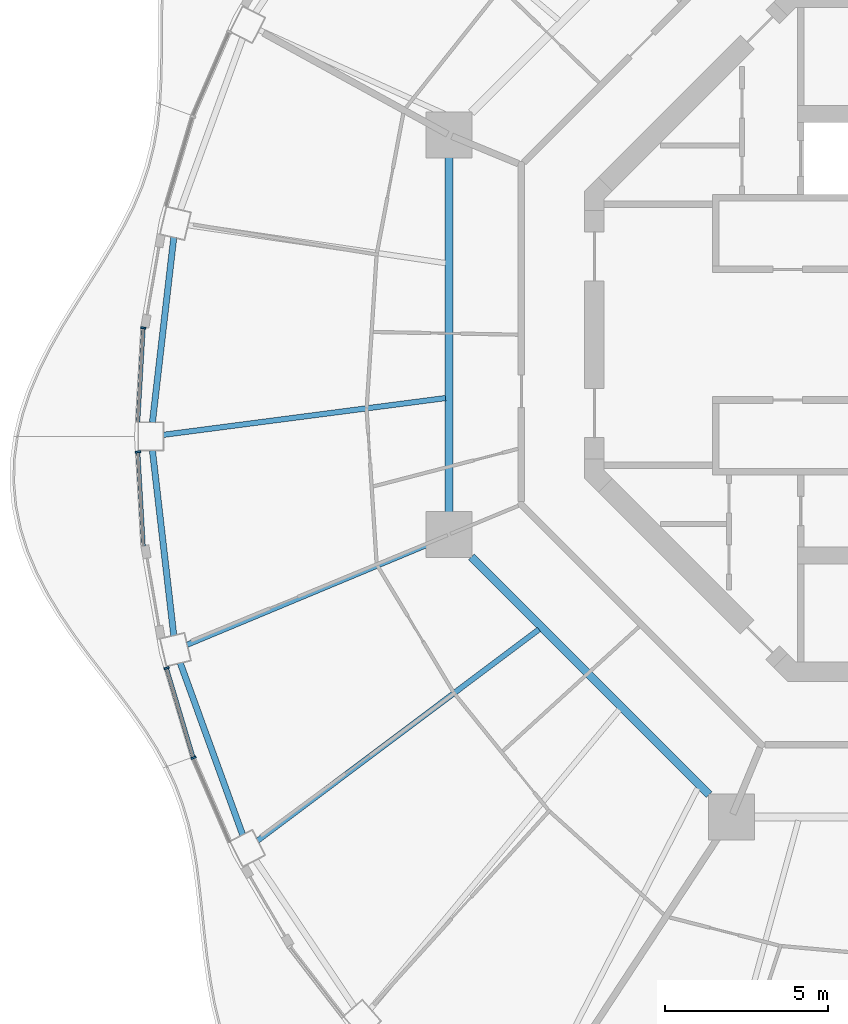
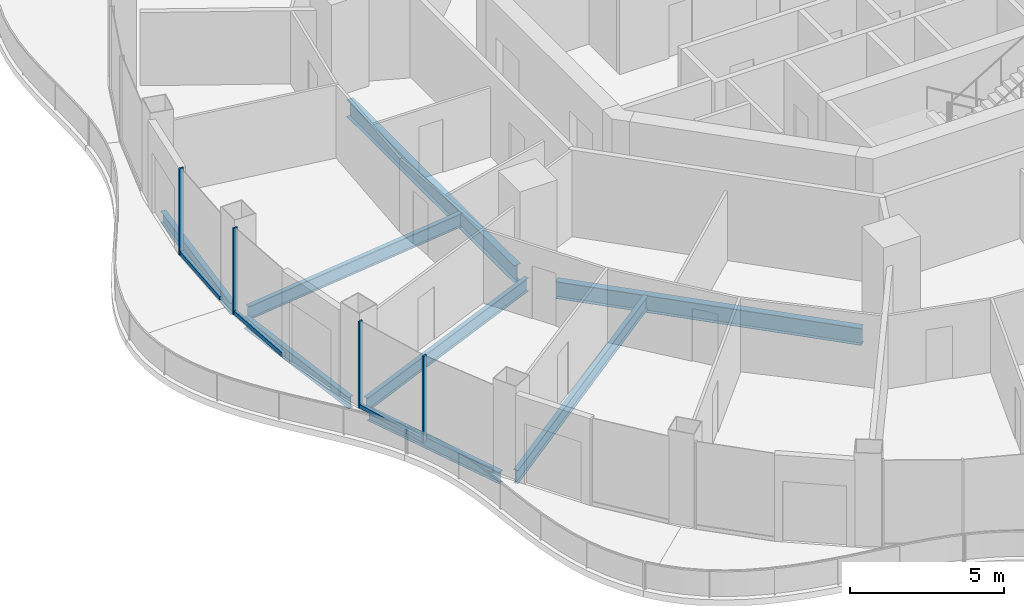
# One storey, part 3 of 17: 8 beams, 7 members, 4 elements without a shape of their own.
"""IFC4 building model written with IfcOpenShell, lengths in metres."""

from ifc_helpers import new_model, si_unit, direction, frame, origin, origin_2d, place, context, subcontext, project, spatial, rectangle, i_section, extrude, material, layer, layer_set, material_profile, profile_set, type_object, element, aggregate, save


model = new_model("IFC4")

# Units and contexts
model_context = context("Model", 3, precision=1e-05, world=origin(), true_north=direction((0.0, 1.0)))
body_context = subcontext(model_context, "Body", "Model", "MODEL_VIEW")
ifc_project = project(units=[si_unit("LENGTHUNIT", "METRE"), si_unit("AREAUNIT", "SQUARE_METRE"), si_unit("VOLUMEUNIT", "CUBIC_METRE"), si_unit("PLANEANGLEUNIT", "RADIAN"), si_unit("MASSUNIT", "GRAM", prefix="KILO")], contexts=[model_context])

# Site, building, storey
site_placement = place(None, origin())
site = spatial("IfcSite", under=ifc_project, at=site_placement, CompositionType="ELEMENT")
building_placement = place(site_placement, origin())
building = spatial("IfcBuilding", under=site, at=building_placement, Name="Nagisa Residences", CompositionType="ELEMENT")
storey_placement = place(building_placement, frame((0.0, 0.0, 277.0)))
storey = spatial("IfcBuildingStorey", under=building, at=storey_placement, Name="L70", CompositionType="ELEMENT", Elevation=277.0)

# Curtain wall, member
ifc_material_1 = material(Name="Concrete-coloured aluminium curtain wall system", Category="concrete")
ifc_layer = layer(ifc_material_1, 0.159912109375)
ifc_layer_set = layer_set([ifc_layer], Name="CW1 CURTAIN WALL")
curtain_wall_type = type_object("IfcCurtainWallType", Name="CW1 CURTAIN WALL", PredefinedType="NOTDEFINED", material=ifc_layer_set)
curtain_wall_1_placement = place(storey_placement, origin())
curtain_wall_1 = element("IfcCurtainWall", 1, at=curtain_wall_1_placement, inside=storey, type_object=curtain_wall_type, Name="cw:CW1:L70:23", PredefinedType="NOTDEFINED")
ifc_material_2 = material(Name="Concrete-coloured aluminium", Category="concrete")
ifc_material_profile_1 = material_profile(ifc_material_2, rectangle(XDim=0.159912109375, YDim=0.06005859375, at=origin_2d()), Name="CW1 MULLION 160x60")
ifc_profile_set_1 = profile_set([ifc_material_profile_1], Name="Concrete-coloured aluminium")
member_type_1 = type_object("IfcMemberType", Name="CW1 MULLION 160x60", PredefinedType="MULLION", material=ifc_profile_set_1)
member_1_placement = place(storey_placement, frame((-24.1484375, 0.20751953125, 0.0), z_axis=(0.0, 0.0, 1.0), x_axis=(0.998345305184, -0.057503492216, 0.0)))
member_1 = element("IfcMember", 2, at=member_1_placement, type_object=member_type_1, Name="CW1 mullion", PredefinedType="MULLION", context=body_context, shape_type="SweptSolid", body=[
    extrude(rectangle(XDim=0.159912109375, YDim=0.06005859375, at=origin_2d()), origin(), (0.0, 0.0, 1.0), 3.43994140625),
])

curtain_wall_2_placement = place(storey_placement, origin())
curtain_wall_2 = element("IfcCurtainWall", 3, at=curtain_wall_2_placement, inside=storey, type_object=curtain_wall_type, Name="cw:CW1:L70:24", PredefinedType="NOTDEFINED")
member_2_placement = place(storey_placement, frame((-24.3125, -3.59228515625, 0.0), z_axis=(0.0, 0.0, 1.0), x_axis=(0.998345305184, 0.057503492216, 0.0)))
member_2 = element("IfcMember", 4, at=member_2_placement, type_object=member_type_1, Name="CW1 mullion", PredefinedType="MULLION", context=body_context, shape_type="SweptSolid", body=[
    extrude(rectangle(XDim=0.159912109375, YDim=0.06005859375, at=origin_2d()), origin(), (0.0, 0.0, 1.0), 3.43994140625),
])

curtain_wall_3_placement = place(storey_placement, origin())
curtain_wall_3 = element("IfcCurtainWall", 5, at=curtain_wall_3_placement, inside=storey, type_object=curtain_wall_type, Name="cw:CW1:L70:26", PredefinedType="NOTDEFINED")
member_3_placement = place(storey_placement, frame((-23.435302734375, -10.216796875, 0.0), z_axis=(0.0, 0.0, 1.0), x_axis=(0.958271310082, 0.285860274038, 0.0)))
member_3 = element("IfcMember", 6, at=member_3_placement, type_object=member_type_1, Name="CW1 mullion", PredefinedType="MULLION", context=body_context, shape_type="SweptSolid", body=[
    extrude(rectangle(XDim=0.159912109375, YDim=0.06005859375, at=origin_2d()), origin(), (0.0, 0.0, 1.0), 3.43994140625),
])

curtain_wall_4_placement = place(storey_placement, origin())
curtain_wall_4 = element("IfcCurtainWall", 7, at=curtain_wall_4_placement, inside=storey, type_object=curtain_wall_type, Name="cw:CW1:L70:27", PredefinedType="NOTDEFINED")
member_4_placement = place(storey_placement, frame((-22.61279296875, -12.963623046875, 0.0), z_axis=(0.0, 0.0, 1.0), x_axis=(0.917543276295, 0.397635934147, 0.0)))
member_4 = element("IfcMember", 8, at=member_4_placement, type_object=member_type_1, Name="CW1 mullion", PredefinedType="MULLION", context=body_context, shape_type="SweptSolid", body=[
    extrude(rectangle(XDim=0.159912109375, YDim=0.06005859375, at=origin_2d()), origin(), (0.0, 0.0, 1.0), 3.43994140625),
])
aggregate(curtain_wall_4, [member_4])

# Member
ifc_material_3 = material(Name="Concrete-coloured aluminium", Category="concrete")
ifc_material_profile_2 = material_profile(ifc_material_3, rectangle(XDim=0.1201171875, YDim=0.14990234375, at=origin_2d()), Name="CW1 TRANSOM 120x150")
ifc_profile_set_2 = profile_set([ifc_material_profile_2], Name="Concrete-coloured aluminium")
member_type_2 = type_object("IfcMemberType", Name="CW1 TRANSOM 120x150", PredefinedType="USERDEFINED", material=ifc_profile_set_2)
member_5_placement = place(storey_placement, frame((-24.146728515625, 0.237548828125, 0.074951171875), z_axis=(-0.057445660401, -0.998348634547, 0.0), x_axis=(0.998348634547, -0.057445660401, 0.0)))
member_5 = element("IfcMember", 9, at=member_5_placement, type_object=member_type_2, Name="CW1 transom", ObjectType="TRANSOM", PredefinedType="USERDEFINED", context=body_context, shape_type="SweptSolid", body=[
    extrude(rectangle(XDim=0.1201171875, YDim=0.14990234375, at=origin_2d()), origin(), (0.0, 0.0, 1.0), 2.91552734375),
])

aggregate(curtain_wall_1, [member_1, member_5])

member_6_placement = place(storey_placement, frame((-24.314208984375, -3.562255859375, 0.074951171875), z_axis=(0.057445660401, -0.998348634547, 0.0), x_axis=(0.998348634547, 0.057445660401, 0.0)))
member_6 = element("IfcMember", 10, at=member_6_placement, type_object=member_type_2, Name="CW1 transom", ObjectType="TRANSOM", PredefinedType="USERDEFINED", context=body_context, shape_type="SweptSolid", body=[
    extrude(rectangle(XDim=0.1201171875, YDim=0.14990234375, at=origin_2d()), origin(), (0.0, 0.0, 1.0), 2.91552734375),
])

aggregate(curtain_wall_2, [member_2, member_6])

member_7_placement = place(storey_placement, frame((-23.44384765625, -10.18798828125, 0.074951171875), z_axis=(0.285798286059, -0.958289799427, 0.0), x_axis=(0.958289799427, 0.285798286059, 0.0)))
member_7 = element("IfcMember", 11, at=member_7_placement, type_object=member_type_2, Name="CW1 transom", ObjectType="TRANSOM", PredefinedType="USERDEFINED", context=body_context, shape_type="SweptSolid", body=[
    extrude(rectangle(XDim=0.1201171875, YDim=0.14990234375, at=origin_2d()), origin(), (0.0, 0.0, 1.0), 2.877197265625),
])

aggregate(curtain_wall_3, [member_3, member_7])

# Beams
ifc_material_4 = material(Name="Steel ASTM A572 Gr 50", Category="steel")
ifc_material_profile_3 = material_profile(ifc_material_4, i_section(OverallWidth=0.2529296875, OverallDepth=0.677978515625, WebThickness=0.01171875, FlangeThickness=0.016357421875, at=origin_2d()), Name="W690x125")
ifc_profile_set_3 = profile_set([ifc_material_profile_3], Name="Steel ASTM A572 Gr 50")
beam_type_1 = type_object("IfcBeamType", Name="Inner ring beam W690x125", PredefinedType="BEAM", material=ifc_profile_set_3)
beam_1_placement = place(storey_placement, frame((-14.781982421875, 5.44287109375, -0.59912109375), z_axis=(0.0, -1.0, 0.0), x_axis=(1.0, 0.0, 0.0)))
element("IfcBeam", 12, at=beam_1_placement, inside=storey, type_object=beam_type_1, Name="beam:L70:ib4", PredefinedType="BEAM", context=body_context, shape_type="SweptSolid", body=[
    extrude(i_section(OverallWidth=0.2529296875, OverallDepth=0.677978515625, WebThickness=0.01171875, FlangeThickness=0.016357421875, at=origin_2d()), origin(), (0.0, 0.0, 1.0), 10.8857421875),
])
beam_2_placement = place(storey_placement, frame((-14.09619140625, -6.808837890625, -0.59912109375), z_axis=(0.707106781187, -0.707106781187, 0.0), x_axis=(0.707106781187, 0.707106781187, 0.0)))
element("IfcBeam", 13, at=beam_2_placement, inside=storey, type_object=beam_type_1, Name="beam:L70:ib5", PredefinedType="BEAM", context=body_context, shape_type="SweptSolid", body=[
    extrude(i_section(OverallWidth=0.2529296875, OverallDepth=0.677978515625, WebThickness=0.01171875, FlangeThickness=0.016357421875, at=origin_2d()), origin(), (0.0, 0.0, 1.0), 10.305908203125),
])
ifc_material_5 = material(Name="Steel ASTM A572 Gr 50", Category="steel")
ifc_material_profile_4 = material_profile(ifc_material_5, i_section(OverallWidth=0.18994140625, OverallDepth=0.45703125, WebThickness=0.009033203125, FlangeThickness=0.014404296875, at=origin_2d()), Name="W460x74")
ifc_profile_set_4 = profile_set([ifc_material_profile_4], Name="Steel ASTM A572 Gr 50")
beam_type_2 = type_object("IfcBeamType", Name="Perimeter ring beam W460x74", PredefinedType="BEAM", material=ifc_profile_set_4)
for number, where, z_axis, x_axis, name in (
    (14, (-23.2158203125, 2.984619140625, -0.488525390625), (-0.114635468623, -0.993407624962, 0.0), (0.993407624962, -0.114635468623, 0.0), "beam:L70:pb12"),
    (15, (-23.870361328125, -3.5478515625, -0.488525390625), (0.114635468623, -0.993407624962, 0.0), (0.993407624962, 0.114635468623, 0.0), "beam:L70:pb13"),
):
    element("IfcBeam", number, at=place(storey_placement, frame(where, z_axis=z_axis, x_axis=x_axis)), inside=storey, type_object=beam_type_2, Name=name, PredefinedType="BEAM", context=body_context, shape_type="SweptSolid", body=[
        extrude(i_section(OverallWidth=0.18994140625, OverallDepth=0.45703125, WebThickness=0.009033203125, FlangeThickness=0.014404296875, at=origin_2d()), origin(), (0.0, 0.0, 1.0), 5.709716796875),
    ])
beam_3_placement = place(storey_placement, frame((-23.0185546875, -10.057373046875, -0.488525390625), z_axis=(0.341250304478, -0.9399724622, 0.0), x_axis=(0.9399724622, 0.341250304478, 0.0)))
element("IfcBeam", 16, at=beam_3_placement, inside=storey, type_object=beam_type_2, Name="beam:L70:pb14", PredefinedType="BEAM", context=body_context, shape_type="SweptSolid", body=[
    extrude(i_section(OverallWidth=0.18994140625, OverallDepth=0.45703125, WebThickness=0.009033203125, FlangeThickness=0.014404296875, at=origin_2d()), origin(), (0.0, 0.0, 1.0), 5.609619140625),
])
ifc_material_6 = material(Name="Steel ASTM A572 Gr 50", Category="steel")
ifc_material_profile_5 = material_profile(ifc_material_6, i_section(OverallWidth=0.166015625, OverallDepth=0.534912109375, WebThickness=0.01025390625, FlangeThickness=0.0166015625, at=origin_2d()), Name="W530x85")
ifc_profile_set_5 = profile_set([ifc_material_profile_5], Name="Steel ASTM A572 Gr 50")
beam_type_3 = type_object("IfcBeamType", Name="Radial beam W530x85", PredefinedType="BEAM", material=ifc_profile_set_5)
beam_4_placement = place(storey_placement, frame((-23.539794921875, -3.068115234375, -0.527587890625), z_axis=(0.991614605292, 0.129230315994, 0.0), x_axis=(-0.129230315994, 0.991614605292, 0.0)))
element("IfcBeam", 17, at=beam_4_placement, inside=storey, type_object=beam_type_3, Name="beam:L70:rb13", PredefinedType="BEAM", context=body_context, shape_type="SweptSolid", body=[
    extrude(i_section(OverallWidth=0.166015625, OverallDepth=0.534912109375, WebThickness=0.01025390625, FlangeThickness=0.0166015625, at=origin_2d()), origin(), (0.0, 0.0, 1.0), 8.724365234375),
])
beam_5_placement = place(storey_placement, frame((-22.810546875, -9.502197265625, -0.527587890625), z_axis=(0.92310713136, 0.384542876716, 0.0), x_axis=(-0.384542876716, 0.92310713136, 0.0)))
element("IfcBeam", 18, at=beam_5_placement, inside=storey, type_object=beam_type_3, Name="beam:L70:rb14", PredefinedType="BEAM", context=body_context, shape_type="SweptSolid", body=[
    extrude(i_section(OverallWidth=0.166015625, OverallDepth=0.534912109375, WebThickness=0.01025390625, FlangeThickness=0.0166015625, at=origin_2d()), origin(), (0.0, 0.0, 1.0), 8.607177734375),
])
beam_6_placement = place(storey_placement, frame((-20.647705078125, -15.505859375, -0.527587890625), z_axis=(0.799616749037, 0.600510661571, 0.0), x_axis=(-0.600510661571, 0.799616749037, 0.0)))
element("IfcBeam", 19, at=beam_6_placement, inside=storey, type_object=beam_type_3, Name="beam:L70:rb15", PredefinedType="BEAM", context=body_context, shape_type="SweptSolid", body=[
    extrude(i_section(OverallWidth=0.166015625, OverallDepth=0.534912109375, WebThickness=0.01025390625, FlangeThickness=0.0166015625, at=origin_2d()), origin(), (0.0, 0.0, 1.0), 10.782958984375),
])

save(model, "model.ifc")
